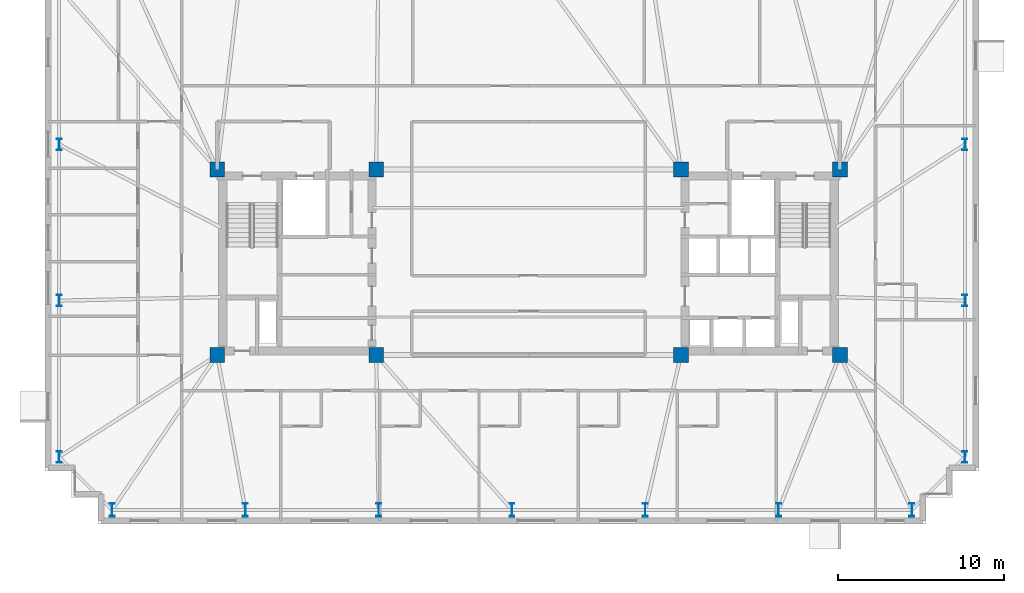
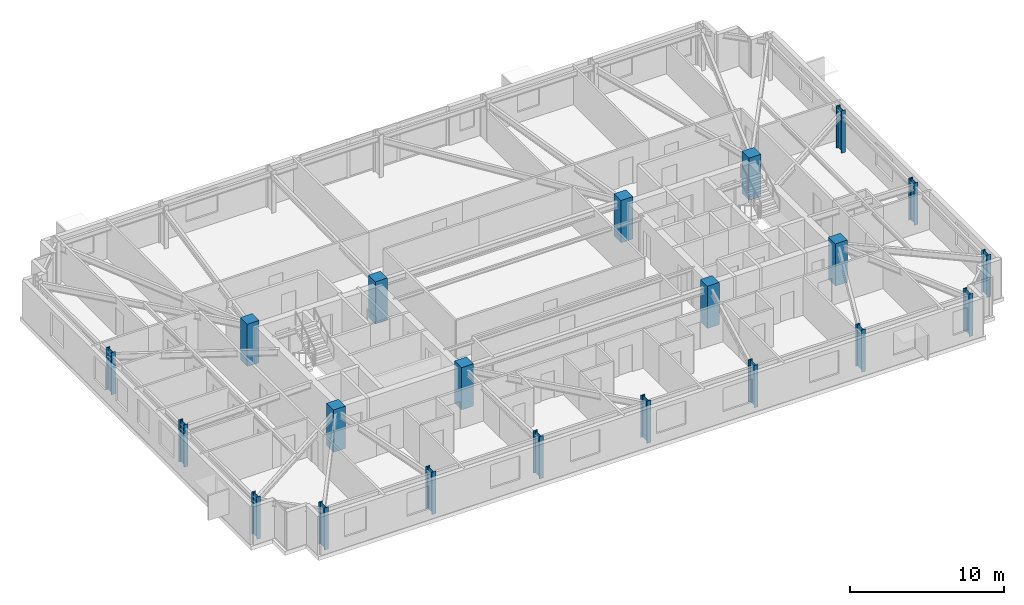
# One storey, part 1 of 18: 21 columns.
"""IFC4 building model written with IfcOpenShell, lengths in metres."""

import ifcopenshell
import ifcopenshell.guid

model = None  # the IFC model being written
_history = None  # IfcOwnerHistory: only IFC2X3 demands one
_inside = {}  # id of a spatial element -> (the spatial element, [elements in it])
_under = {}  # id of a project, library or spatial element -> (it, [spatial elements below it])
_declared = {}  # id of a project -> (the project, [libraries it declares])
_typed = {}  # id of a type object -> (the type object, [elements of that type])
_made_of = {}  # id of a material, layer set ... -> (it, [elements and type objects made of it])


def new_model(schema):
    """Start an empty IFC model of exactly this schema.

    Asked for "IFC4X3", IfcOpenShell would pick the latest addendum, in which some entities
    have other attributes; the version numbers below select the first issue.
    IFC2X3 requires an IfcOwnerHistory on every rooted entity: one is made here for all.
    """
    global model, _history
    if schema == "IFC4X3":
        model = ifcopenshell.file(schema_version=(4, 3, 0, 0))
    else:
        model = ifcopenshell.file(schema=schema)
    _inside.clear()
    _under.clear()
    _declared.clear()
    _typed.clear()
    _made_of.clear()
    _history = None
    if model.schema == "IFC2X3":
        org = make("IfcOrganization", Name="unknown")
        user = make(
            "IfcPersonAndOrganization",
            ThePerson=make("IfcPerson", FamilyName="unknown"),
            TheOrganization=org,
        )
        app = make(
            "IfcApplication",
            ApplicationDeveloper=org,
            Version="unknown",
            ApplicationFullName="unknown",
            ApplicationIdentifier="unknown",
        )
        _history = make(
            "IfcOwnerHistory",
            OwningUser=user,
            OwningApplication=app,
            ChangeAction="ADDED",
            CreationDate=0,
        )
    return model


def make(cls, **values):
    """One entity of the class cls with the attributes given. An attribute that is None is left unset."""
    return model.create_entity(
        cls, **{name: value for name, value in values.items() if value is not None}
    )


def rooted(cls, **values):
    """An entity with a GlobalId (a new one), such as an element, a storey or a relation."""
    return make(cls, GlobalId=ifcopenshell.guid.new(), OwnerHistory=_history, **values)


def si_unit(unit_type, name, prefix=None):
    """IfcSIUnit, for example si_unit("LENGTHUNIT", "METRE", prefix="MILLI")."""
    return make("IfcSIUnit", UnitType=unit_type, Prefix=prefix, Name=name)


def assignment(units):
    """IfcUnitAssignment: the units of a project."""
    return None if units is None else make("IfcUnitAssignment", Units=units)


def point(xyz):
    """IfcCartesianPoint."""
    return None if xyz is None else make("IfcCartesianPoint", Coordinates=xyz)


def direction(xyz):
    """IfcDirection."""
    return None if xyz is None else make("IfcDirection", DirectionRatios=xyz)


def frame(location, z_axis=None, x_axis=None):
    """IfcAxis2Placement3D, a coordinate frame: its origin and axes. An axis left out is left unset."""
    return make(
        "IfcAxis2Placement3D",
        Location=point(location),
        Axis=direction(z_axis),
        RefDirection=direction(x_axis),
    )


def frame_2d(location, x_axis=None):
    """IfcAxis2Placement2D, a coordinate frame in the plane: its origin and x axis."""
    return make(
        "IfcAxis2Placement2D", Location=point(location), RefDirection=direction(x_axis)
    )


def origin():
    """The frame at (0, 0, 0) with its axes left unset."""
    return frame((0.0, 0.0, 0.0))


def origin_2d():
    """The frame at (0, 0) in the plane with its x axis left unset."""
    return frame_2d((0.0, 0.0))


def place(relative_to, where):
    """IfcLocalPlacement: puts the frame where relative to a parent placement (None: the world)."""
    return make(
        "IfcLocalPlacement", PlacementRelTo=relative_to, RelativePlacement=where
    )


def context(
    kind, dimensions, precision=None, world=None, true_north=None, identifier=None
):
    """IfcGeometricRepresentationContext, for example the 3D "Model" context."""
    return make(
        "IfcGeometricRepresentationContext",
        ContextIdentifier=identifier,
        ContextType=kind,
        CoordinateSpaceDimension=dimensions,
        Precision=precision,
        WorldCoordinateSystem=world,
        TrueNorth=true_north,
    )


def subcontext(parent, identifier, kind, view, scale=None):
    """IfcGeometricRepresentationSubContext, for example "Body" below "Model"."""
    return make(
        "IfcGeometricRepresentationSubContext",
        ContextIdentifier=identifier,
        ContextType=kind,
        ParentContext=parent,
        TargetScale=scale,
        TargetView=view,
    )


def project(units=None, contexts=None):
    """IfcProject with its units and contexts."""
    return rooted(
        "IfcProject",
        Name="project",
        RepresentationContexts=contexts,
        UnitsInContext=assignment(units),
    )


def spatial(cls, under=None, at=None, **own):
    """A site, building, storey or space (cls), placed at a placement, below another one or the project."""
    s = rooted(cls, ObjectPlacement=at, **own)
    if under is not None:
        _under.setdefault(under.id(), (under, []))[1].append(s)
    return s


def profile(cls, at=None, kind="AREA", **sizes):
    """A parametric profile (cls). Its sizes go by their IFC names, for example OverallWidth=200.0."""
    return make(cls, ProfileType=kind, Position=at, **sizes)


def rectangle(**sizes):
    """IfcRectangleProfileDef."""
    return profile("IfcRectangleProfileDef", **sizes)


def i_section(**sizes):
    """IfcIShapeProfileDef."""
    return profile("IfcIShapeProfileDef", **sizes)


def extrude(swept, where, along, depth):
    """IfcExtrudedAreaSolid: the profile swept, set in the frame where, extruded along a direction by depth."""
    return make(
        "IfcExtrudedAreaSolid",
        SweptArea=swept,
        Position=where,
        ExtrudedDirection=direction(along),
        Depth=depth,
    )


def shape(context_of_items, identifier, shape_type, items):
    """IfcShapeRepresentation: the items that make up one representation, for example the "Body"."""
    return make(
        "IfcShapeRepresentation",
        ContextOfItems=context_of_items,
        RepresentationIdentifier=identifier,
        RepresentationType=shape_type,
        Items=items,
    )


def material(Name=None, Category=None):
    """IfcMaterial."""
    return make("IfcMaterial", Name=Name, Category=Category)


def material_profile(
    of_material, cross_section, Name=None, Category=None, Priority=None
):
    """IfcMaterialProfile: a cross section and its material."""
    return make(
        "IfcMaterialProfile",
        Name=Name,
        Material=of_material,
        Profile=cross_section,
        Priority=Priority,
        Category=Category,
    )


def profile_set(profiles, Name=None, composite=None):
    """IfcMaterialProfileSet."""
    return make(
        "IfcMaterialProfileSet",
        Name=Name,
        MaterialProfiles=profiles,
        CompositeProfile=composite,
    )


def made_of(thing, what):
    """Note that an element or type object is made of a material, layer set ...; save() writes the relation."""
    if what is not None:
        _made_of.setdefault(what.id(), (what, []))[1].append(thing)
    return thing


def type_object(cls, material=None, **own):
    """A type object (cls), such as IfcWallType, which elements share."""
    return made_of(rooted(cls, **own), material)


def element(
    cls,
    number,
    at=None,
    inside=None,
    cuts=None,
    type_object=None,
    material=None,
    context=None,
    identifier="Body",
    shape_type=None,
    held_by="IfcProductDefinitionShape",
    body=None,
    shapes=None,
    **own,
):
    """One element of the class cls, such as IfcWall. Its Tag is "e" and its number.

    at: its placement. inside: the storey or other place that contains it. cuts: it is an
    opening in that element (IfcRelVoidsElement). A single representation is given by context,
    identifier, shape_type and body (its items); several are given by shapes. held_by: the class
    of the entity that holds the representations. save() writes the other relations.
    """
    e = rooted(cls, Tag="e%d" % number, ObjectPlacement=at, **own)
    if body is not None:
        shapes = [shape(context, identifier, shape_type, body)]
    if shapes is not None:
        e.Representation = make(held_by, Representations=shapes)
    if inside is not None:
        _inside.setdefault(inside.id(), (inside, []))[1].append(e)
    if cuts is not None:
        rooted(
            "IfcRelVoidsElement", RelatingBuildingElement=cuts, RelatedOpeningElement=e
        )
    if type_object is not None:
        _typed.setdefault(type_object.id(), (type_object, []))[1].append(e)
    return made_of(e, material)


def aggregate(whole, parts):
    """IfcRelAggregates: a whole, such as a stair, and the parts it consists of."""
    return rooted("IfcRelAggregates", RelatingObject=whole, RelatedObjects=parts)


def save(model, path):
    """Write the relations noted so far, then the file.

    IfcRelAggregates (storeys below a building ...), IfcRelContainedInSpatialStructure (elements
    in a storey), IfcRelDefinesByType, IfcRelAssociatesMaterial and IfcRelDeclares: one each for
    every whole, place, type object, material and project.
    """
    for whole, parts in _under.values():
        aggregate(whole, parts)
    for where, things in _inside.values():
        rooted(
            "IfcRelContainedInSpatialStructure",
            RelatedElements=things,
            RelatingStructure=where,
        )
    for kind, things in _typed.values():
        rooted("IfcRelDefinesByType", RelatedObjects=things, RelatingType=kind)
    for what, things in _made_of.values():
        rooted("IfcRelAssociatesMaterial", RelatedObjects=things, RelatingMaterial=what)
    for by, libraries in _declared.values():
        rooted("IfcRelDeclares", RelatingContext=by, RelatedDefinitions=libraries)
    model.write(path)


model = new_model("IFC4")

# Units and contexts
model_context = context("Model", 3, precision=1e-05, world=origin(), true_north=direction((0.0, 1.0)))
body_context = subcontext(model_context, "Body", "Model", "MODEL_VIEW")
ifc_project = project(units=[si_unit("LENGTHUNIT", "METRE"), si_unit("AREAUNIT", "SQUARE_METRE"), si_unit("VOLUMEUNIT", "CUBIC_METRE"), si_unit("PLANEANGLEUNIT", "RADIAN"), si_unit("MASSUNIT", "GRAM", prefix="KILO")], contexts=[model_context])

# Site, building, storey
site_placement = place(None, origin())
site = spatial("IfcSite", under=ifc_project, at=site_placement, CompositionType="ELEMENT")
building_placement = place(site_placement, origin())
building = spatial("IfcBuilding", under=site, at=building_placement, Name="Qobustan Lattice House", CompositionType="ELEMENT")
storey_placement = place(building_placement, frame((0.0, 0.0, 151.10009765625)))
storey = spatial("IfcBuildingStorey", under=building, at=storey_placement, Name="L42", CompositionType="ELEMENT", Elevation=151.10009765625)

# Columns
ifc_material_1 = material(Name="Concrete C50/60", Category="concrete")
ifc_material_profile_1 = material_profile(ifc_material_1, rectangle(XDim=0.89990234375, YDim=0.89990234375, at=origin_2d()), Name="RC900x900")
ifc_profile_set_1 = profile_set([ifc_material_profile_1], Name="Concrete C50/60")
column_type_1 = type_object("IfcColumnType", Name="COL-RC-900", PredefinedType="COLUMN", material=ifc_profile_set_1)
for number, where, z_axis, x_axis, name in (
    (1, (-18.800048828125, -5.60009765625, 0.0), (0.0, 0.0, 1.0), (1.0, 0.0, 0.0), "L42 core mega-column CW-SW"),
    (2, (-18.800048828125, 5.60009765625, 0.0), (0.0, 0.0, 1.0), (1.0, 0.0, 0.0), "L42 core mega-column CW-NW"),
    (3, (-9.199951171875, -5.60009765625, 0.0), (0.0, 0.0, 1.0), (1.0, 0.0, 0.0), "L42 core mega-column CW-SE"),
    (4, (-9.199951171875, 5.60009765625, 0.0), (0.0, 0.0, 1.0), (1.0, 0.0, 0.0), "L42 core mega-column CW-NE"),
    (5, (9.199951171875, -5.60009765625, 0.0), (0.0, 0.0, 1.0), (1.0, 0.0, 0.0), "L42 core mega-column CE-SW"),
    (6, (9.199951171875, 5.60009765625, 0.0), (0.0, 0.0, 1.0), (1.0, 0.0, 0.0), "L42 core mega-column CE-NW"),
    (7, (18.800048828125, -5.60009765625, 0.0), (0.0, 0.0, 1.0), (1.0, 0.0, 0.0), "L42 core mega-column CE-SE"),
    (8, (18.800048828125, 5.60009765625, 0.0), (0.0, 0.0, 1.0), (1.0, 0.0, 0.0), "L42 core mega-column CE-NE"),
):
    element("IfcColumn", number, at=place(storey_placement, frame(where, z_axis=z_axis, x_axis=x_axis)), inside=storey, type_object=column_type_1, Name=name, PredefinedType="COLUMN", context=body_context, shape_type="SweptSolid", body=[
        extrude(rectangle(XDim=0.89990234375, YDim=0.89990234375, at=origin_2d()), origin(), (0.0, 0.0, 1.0), 3.349853515625),
    ])
ifc_material_2 = material(Name="Steel S355", Category="steel")
ifc_material_profile_2 = material_profile(ifc_material_2, i_section(OverallWidth=0.300048828125, OverallDepth=0.699951171875, WebThickness=0.01708984375, FlangeThickness=0.031982421875, FilletRadius=0.027099609375, at=origin_2d()), Name="HEB700")
ifc_profile_set_2 = profile_set([ifc_material_profile_2], Name="Steel S355")
column_type_2 = type_object("IfcColumnType", Name="COL-ST-HEB700", PredefinedType="COLUMN", material=ifc_profile_set_2)
for number, where, z_axis, x_axis, name in (
    (9, (26.35009765625, -11.75, 0.0), (0.0, 0.0, 1.0), (1.0, 0.0, 0.0), "L42 B3 perimeter column E1"),
    (10, (26.35009765625, -2.316650390625, 0.0), (0.0, 0.0, 1.0), (1.0, 0.0, 0.0), "L42 B3 perimeter column E2"),
    (11, (26.35009765625, 7.11669921875, 0.0), (0.0, 0.0, 1.0), (1.0, 0.0, 0.0), "L42 B3 perimeter column E3"),
    (12, (-28.35009765625, 7.11669921875, 0.0), (0.0, 0.0, 1.0), (1.0, 0.0, 0.0), "L42 B3 perimeter column W2"),
    (13, (-28.35009765625, -2.316650390625, 0.0), (0.0, 0.0, 1.0), (1.0, 0.0, 0.0), "L42 B3 perimeter column W3"),
    (14, (-28.35009765625, -11.75, 0.0), (0.0, 0.0, 1.0), (1.0, 0.0, 0.0), "L42 B3 perimeter column W4"),
):
    element("IfcColumn", number, at=place(storey_placement, frame(where, z_axis=z_axis, x_axis=x_axis)), inside=storey, type_object=column_type_2, Name=name, PredefinedType="COLUMN", context=body_context, shape_type="SweptSolid", body=[
        extrude(i_section(OverallWidth=0.300048828125, OverallDepth=0.699951171875, WebThickness=0.01708984375, FlangeThickness=0.031982421875, FilletRadius=0.027099609375, at=origin_2d()), origin(), (0.0, 0.0, 1.0), 3.349853515625),
    ])
ifc_material_3 = material(Name="Steel S355", Category="steel")
ifc_material_profile_3 = material_profile(ifc_material_3, i_section(OverallWidth=0.300048828125, OverallDepth=0.800048828125, WebThickness=0.017578125, FlangeThickness=0.032958984375, FilletRadius=0.030029296875, at=origin_2d()), Name="HEB800")
ifc_profile_set_3 = profile_set([ifc_material_profile_3], Name="Steel S355")
column_type_3 = type_object("IfcColumnType", Name="COL-ST-HEB800", PredefinedType="COLUMN", material=ifc_profile_set_3)
for number, where, z_axis, x_axis, name in (
    (15, (-25.14990234375, -14.949951171875, 0.0), (0.0, 0.0, 1.0), (1.0, 0.0, 0.0), "L42 B3 perimeter column S1"),
    (16, (-17.10009765625, -14.949951171875, 0.0), (0.0, 0.0, 1.0), (1.0, 0.0, 0.0), "L42 B3 perimeter column S2"),
    (17, (-9.050048828125, -14.949951171875, 0.0), (0.0, 0.0, 1.0), (1.0, 0.0, 0.0), "L42 B3 perimeter column S3"),
    (18, (-1.0, -14.949951171875, 0.0), (0.0, 0.0, 1.0), (1.0, 0.0, 0.0), "L42 B3 perimeter column S4"),
    (19, (7.050048828125, -14.949951171875, 0.0), (0.0, 0.0, 1.0), (1.0, 0.0, 0.0), "L42 B3 perimeter column S5"),
    (20, (15.10009765625, -14.949951171875, 0.0), (0.0, 0.0, 1.0), (1.0, 0.0, 0.0), "L42 B3 perimeter column S6"),
    (21, (23.14990234375, -14.949951171875, 0.0), (0.0, 0.0, 1.0), (1.0, 0.0, 0.0), "L42 B3 perimeter column S7"),
):
    element("IfcColumn", number, at=place(storey_placement, frame(where, z_axis=z_axis, x_axis=x_axis)), inside=storey, type_object=column_type_3, Name=name, PredefinedType="COLUMN", context=body_context, shape_type="SweptSolid", body=[
        extrude(i_section(OverallWidth=0.300048828125, OverallDepth=0.800048828125, WebThickness=0.017578125, FlangeThickness=0.032958984375, FilletRadius=0.030029296875, at=origin_2d()), origin(), (0.0, 0.0, 1.0), 3.349853515625),
    ])

save(model, "model.ifc")
